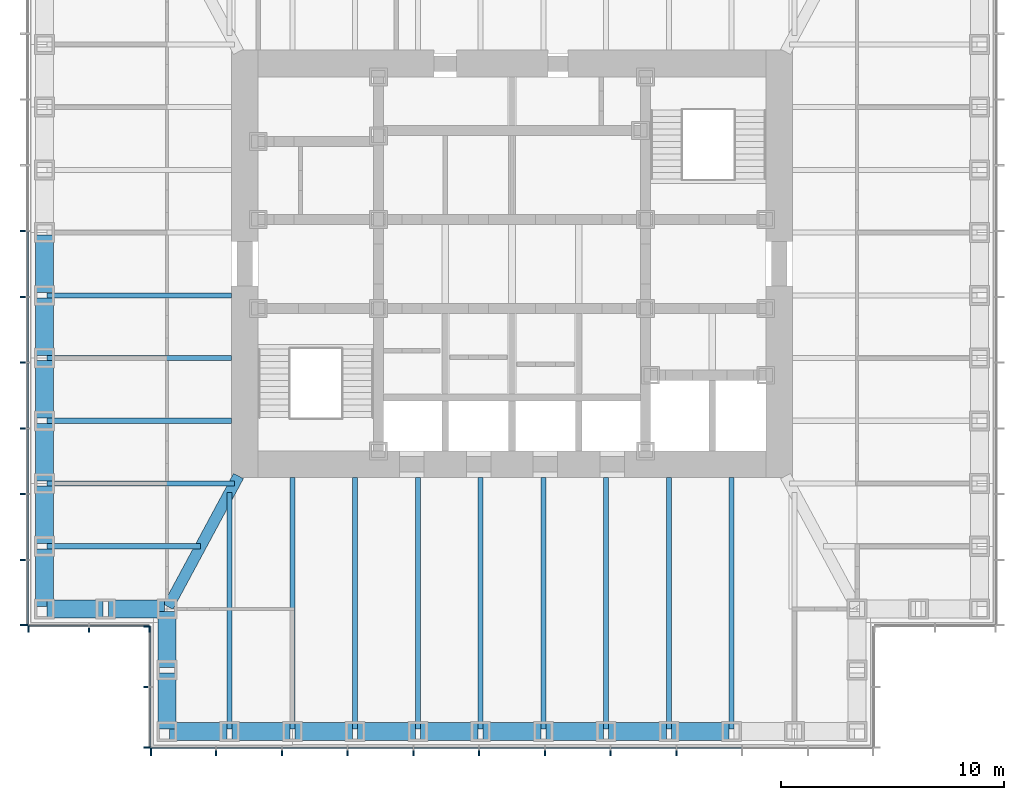
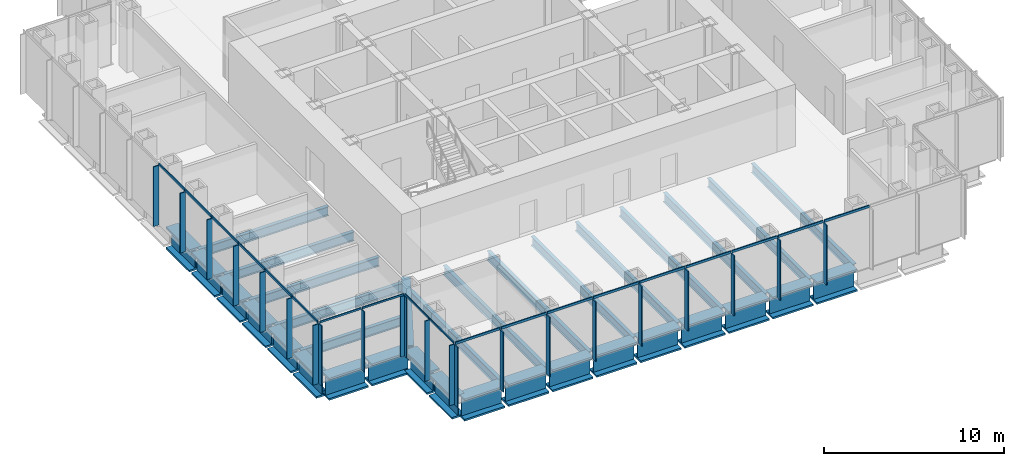
# One storey, part 2 of 16: 41 members, 34 beams, 4 elements without a shape of their own.
"""IFC4 building model written with IfcOpenShell, lengths in metres."""

import ifcopenshell
import ifcopenshell.guid

model = None  # the IFC model being written
_history = None  # IfcOwnerHistory: only IFC2X3 demands one
_inside = {}  # id of a spatial element -> (the spatial element, [elements in it])
_under = {}  # id of a project, library or spatial element -> (it, [spatial elements below it])
_declared = {}  # id of a project -> (the project, [libraries it declares])
_typed = {}  # id of a type object -> (the type object, [elements of that type])
_made_of = {}  # id of a material, layer set ... -> (it, [elements and type objects made of it])


def new_model(schema):
    """Start an empty IFC model of exactly this schema.

    Asked for "IFC4X3", IfcOpenShell would pick the latest addendum, in which some entities
    have other attributes; the version numbers below select the first issue.
    IFC2X3 requires an IfcOwnerHistory on every rooted entity: one is made here for all.
    """
    global model, _history
    if schema == "IFC4X3":
        model = ifcopenshell.file(schema_version=(4, 3, 0, 0))
    else:
        model = ifcopenshell.file(schema=schema)
    _inside.clear()
    _under.clear()
    _declared.clear()
    _typed.clear()
    _made_of.clear()
    _history = None
    if model.schema == "IFC2X3":
        org = make("IfcOrganization", Name="unknown")
        user = make(
            "IfcPersonAndOrganization",
            ThePerson=make("IfcPerson", FamilyName="unknown"),
            TheOrganization=org,
        )
        app = make(
            "IfcApplication",
            ApplicationDeveloper=org,
            Version="unknown",
            ApplicationFullName="unknown",
            ApplicationIdentifier="unknown",
        )
        _history = make(
            "IfcOwnerHistory",
            OwningUser=user,
            OwningApplication=app,
            ChangeAction="ADDED",
            CreationDate=0,
        )
    return model


def make(cls, **values):
    """One entity of the class cls with the attributes given. An attribute that is None is left unset."""
    return model.create_entity(
        cls, **{name: value for name, value in values.items() if value is not None}
    )


def rooted(cls, **values):
    """An entity with a GlobalId (a new one), such as an element, a storey or a relation."""
    return make(cls, GlobalId=ifcopenshell.guid.new(), OwnerHistory=_history, **values)


def si_unit(unit_type, name, prefix=None):
    """IfcSIUnit, for example si_unit("LENGTHUNIT", "METRE", prefix="MILLI")."""
    return make("IfcSIUnit", UnitType=unit_type, Prefix=prefix, Name=name)


def assignment(units):
    """IfcUnitAssignment: the units of a project."""
    return None if units is None else make("IfcUnitAssignment", Units=units)


def point(xyz):
    """IfcCartesianPoint."""
    return None if xyz is None else make("IfcCartesianPoint", Coordinates=xyz)


def direction(xyz):
    """IfcDirection."""
    return None if xyz is None else make("IfcDirection", DirectionRatios=xyz)


def frame(location, z_axis=None, x_axis=None):
    """IfcAxis2Placement3D, a coordinate frame: its origin and axes. An axis left out is left unset."""
    return make(
        "IfcAxis2Placement3D",
        Location=point(location),
        Axis=direction(z_axis),
        RefDirection=direction(x_axis),
    )


def frame_2d(location, x_axis=None):
    """IfcAxis2Placement2D, a coordinate frame in the plane: its origin and x axis."""
    return make(
        "IfcAxis2Placement2D", Location=point(location), RefDirection=direction(x_axis)
    )


def origin():
    """The frame at (0, 0, 0) with its axes left unset."""
    return frame((0.0, 0.0, 0.0))


def origin_2d():
    """The frame at (0, 0) in the plane with its x axis left unset."""
    return frame_2d((0.0, 0.0))


def place(relative_to, where):
    """IfcLocalPlacement: puts the frame where relative to a parent placement (None: the world)."""
    return make(
        "IfcLocalPlacement", PlacementRelTo=relative_to, RelativePlacement=where
    )


def context(
    kind, dimensions, precision=None, world=None, true_north=None, identifier=None
):
    """IfcGeometricRepresentationContext, for example the 3D "Model" context."""
    return make(
        "IfcGeometricRepresentationContext",
        ContextIdentifier=identifier,
        ContextType=kind,
        CoordinateSpaceDimension=dimensions,
        Precision=precision,
        WorldCoordinateSystem=world,
        TrueNorth=true_north,
    )


def subcontext(parent, identifier, kind, view, scale=None):
    """IfcGeometricRepresentationSubContext, for example "Body" below "Model"."""
    return make(
        "IfcGeometricRepresentationSubContext",
        ContextIdentifier=identifier,
        ContextType=kind,
        ParentContext=parent,
        TargetScale=scale,
        TargetView=view,
    )


def project(units=None, contexts=None):
    """IfcProject with its units and contexts."""
    return rooted(
        "IfcProject",
        Name="project",
        RepresentationContexts=contexts,
        UnitsInContext=assignment(units),
    )


def spatial(cls, under=None, at=None, **own):
    """A site, building, storey or space (cls), placed at a placement, below another one or the project."""
    s = rooted(cls, ObjectPlacement=at, **own)
    if under is not None:
        _under.setdefault(under.id(), (under, []))[1].append(s)
    return s


def profile(cls, at=None, kind="AREA", **sizes):
    """A parametric profile (cls). Its sizes go by their IFC names, for example OverallWidth=200.0."""
    return make(cls, ProfileType=kind, Position=at, **sizes)


def rectangle(**sizes):
    """IfcRectangleProfileDef."""
    return profile("IfcRectangleProfileDef", **sizes)


def i_section(**sizes):
    """IfcIShapeProfileDef."""
    return profile("IfcIShapeProfileDef", **sizes)


def extrude(swept, where, along, depth):
    """IfcExtrudedAreaSolid: the profile swept, set in the frame where, extruded along a direction by depth."""
    return make(
        "IfcExtrudedAreaSolid",
        SweptArea=swept,
        Position=where,
        ExtrudedDirection=direction(along),
        Depth=depth,
    )


def shape(context_of_items, identifier, shape_type, items):
    """IfcShapeRepresentation: the items that make up one representation, for example the "Body"."""
    return make(
        "IfcShapeRepresentation",
        ContextOfItems=context_of_items,
        RepresentationIdentifier=identifier,
        RepresentationType=shape_type,
        Items=items,
    )


def material(Name=None, Category=None):
    """IfcMaterial."""
    return make("IfcMaterial", Name=Name, Category=Category)


def material_profile(
    of_material, cross_section, Name=None, Category=None, Priority=None
):
    """IfcMaterialProfile: a cross section and its material."""
    return make(
        "IfcMaterialProfile",
        Name=Name,
        Material=of_material,
        Profile=cross_section,
        Priority=Priority,
        Category=Category,
    )


def profile_set(profiles, Name=None, composite=None):
    """IfcMaterialProfileSet."""
    return make(
        "IfcMaterialProfileSet",
        Name=Name,
        MaterialProfiles=profiles,
        CompositeProfile=composite,
    )


def made_of(thing, what):
    """Note that an element or type object is made of a material, layer set ...; save() writes the relation."""
    if what is not None:
        _made_of.setdefault(what.id(), (what, []))[1].append(thing)
    return thing


def type_object(cls, material=None, **own):
    """A type object (cls), such as IfcWallType, which elements share."""
    return made_of(rooted(cls, **own), material)


def element(
    cls,
    number,
    at=None,
    inside=None,
    cuts=None,
    type_object=None,
    material=None,
    context=None,
    identifier="Body",
    shape_type=None,
    held_by="IfcProductDefinitionShape",
    body=None,
    shapes=None,
    **own,
):
    """One element of the class cls, such as IfcWall. Its Tag is "e" and its number.

    at: its placement. inside: the storey or other place that contains it. cuts: it is an
    opening in that element (IfcRelVoidsElement). A single representation is given by context,
    identifier, shape_type and body (its items); several are given by shapes. held_by: the class
    of the entity that holds the representations. save() writes the other relations.
    """
    e = rooted(cls, Tag="e%d" % number, ObjectPlacement=at, **own)
    if body is not None:
        shapes = [shape(context, identifier, shape_type, body)]
    if shapes is not None:
        e.Representation = make(held_by, Representations=shapes)
    if inside is not None:
        _inside.setdefault(inside.id(), (inside, []))[1].append(e)
    if cuts is not None:
        rooted(
            "IfcRelVoidsElement", RelatingBuildingElement=cuts, RelatedOpeningElement=e
        )
    if type_object is not None:
        _typed.setdefault(type_object.id(), (type_object, []))[1].append(e)
    return made_of(e, material)


def aggregate(whole, parts):
    """IfcRelAggregates: a whole, such as a stair, and the parts it consists of."""
    return rooted("IfcRelAggregates", RelatingObject=whole, RelatedObjects=parts)


def save(model, path):
    """Write the relations noted so far, then the file.

    IfcRelAggregates (storeys below a building ...), IfcRelContainedInSpatialStructure (elements
    in a storey), IfcRelDefinesByType, IfcRelAssociatesMaterial and IfcRelDeclares: one each for
    every whole, place, type object, material and project.
    """
    for whole, parts in _under.values():
        aggregate(whole, parts)
    for where, things in _inside.values():
        rooted(
            "IfcRelContainedInSpatialStructure",
            RelatedElements=things,
            RelatingStructure=where,
        )
    for kind, things in _typed.values():
        rooted("IfcRelDefinesByType", RelatedObjects=things, RelatingType=kind)
    for what, things in _made_of.values():
        rooted("IfcRelAssociatesMaterial", RelatedObjects=things, RelatingMaterial=what)
    for by, libraries in _declared.values():
        rooted("IfcRelDeclares", RelatingContext=by, RelatedDefinitions=libraries)
    model.write(path)


model = new_model("IFC4")

# Units and contexts
model_context = context("Model", 3, precision=1e-05, world=origin(), true_north=direction((0.0, 1.0)))
body_context = subcontext(model_context, "Body", "Model", "MODEL_VIEW")
ifc_project = project(units=[si_unit("LENGTHUNIT", "METRE"), si_unit("AREAUNIT", "SQUARE_METRE"), si_unit("VOLUMEUNIT", "CUBIC_METRE"), si_unit("PLANEANGLEUNIT", "RADIAN"), si_unit("MASSUNIT", "GRAM", prefix="KILO")], contexts=[model_context])

# Site, building, storey
site_placement = place(None, origin())
site = spatial("IfcSite", under=ifc_project, at=site_placement, CompositionType="ELEMENT")
building_placement = place(site_placement, origin())
building = spatial("IfcBuilding", under=site, at=building_placement, Name="Daluyong Arena Tower", CompositionType="ELEMENT")
storey_placement = place(building_placement, frame((0.0, 0.0, 189.699951171875)))
storey = spatial("IfcBuildingStorey", under=building, at=storey_placement, Name="L42", CompositionType="ELEMENT", Elevation=189.699951171875)

# Curtain wall, members
ifc_material_1 = material(Name="Bronze anodised aluminium and glass", Category="aluminium")
curtain_wall_type_1 = type_object("IfcCurtainWallType", Name="Curtain wall CW3", PredefinedType="USERDEFINED", material=ifc_material_1)
curtain_wall_1_placement = place(storey_placement, origin())
curtain_wall_1 = element("IfcCurtainWall", 1, at=curtain_wall_1_placement, inside=storey, type_object=curtain_wall_type_1, Name="curtain wall L42 S", ObjectType="UNITISED CURTAIN WALL", PredefinedType="USERDEFINED")
ifc_material_2 = material(Name="Bronze anodised aluminium fin", Category="aluminium")
ifc_material_profile_1 = material_profile(ifc_material_2, rectangle(XDim=0.35009765625, YDim=0.070068359375, at=origin_2d()))
ifc_profile_set_1 = profile_set([ifc_material_profile_1], Name="Bronze anodised aluminium fin")
member_type_1 = type_object("IfcMemberType", Name="CW3 bronze fin 350x70", PredefinedType="MULLION", material=ifc_profile_set_1)
member_1_placement = place(storey_placement, frame((39.784912109375, 58.074951171875, 0.0), z_axis=(0.0, 0.0, 1.0), x_axis=(0.0, 1.0, 0.0)))
member_1 = element("IfcMember", 2, at=member_1_placement, type_object=member_type_1, Name="curtain wall L42 S fin 1", PredefinedType="MULLION", context=body_context, shape_type="SweptSolid", body=[
    extrude(rectangle(XDim=0.35009765625, YDim=0.070068359375, at=origin_2d()), origin(), (0.0, 0.0, 1.0), 4.0400390625),
])
member_2_placement = place(storey_placement, frame((42.70458984375, 58.074951171875, 0.0), z_axis=(0.0, 0.0, 1.0), x_axis=(0.0, 1.0, 0.0)))
member_2 = element("IfcMember", 3, at=member_2_placement, type_object=member_type_1, Name="curtain wall L42 S fin 2", PredefinedType="MULLION", context=body_context, shape_type="SweptSolid", body=[
    extrude(rectangle(XDim=0.35009765625, YDim=0.070068359375, at=origin_2d()), origin(), (0.0, 0.0, 1.0), 4.0400390625),
])
member_3_placement = place(storey_placement, frame((45.6591796875, 58.074951171875, 0.0), z_axis=(0.0, 0.0, 1.0), x_axis=(0.0, 1.0, 0.0)))
member_3 = element("IfcMember", 4, at=member_3_placement, type_object=member_type_1, Name="curtain wall L42 S fin 3", PredefinedType="MULLION", context=body_context, shape_type="SweptSolid", body=[
    extrude(rectangle(XDim=0.35009765625, YDim=0.070068359375, at=origin_2d()), origin(), (0.0, 0.0, 1.0), 4.0400390625),
])
member_4_placement = place(storey_placement, frame((48.613525390625, 58.074951171875, 0.0), z_axis=(0.0, 0.0, 1.0), x_axis=(0.0, 1.0, 0.0)))
member_4 = element("IfcMember", 5, at=member_4_placement, type_object=member_type_1, Name="curtain wall L42 S fin 4", PredefinedType="MULLION", context=body_context, shape_type="SweptSolid", body=[
    extrude(rectangle(XDim=0.35009765625, YDim=0.070068359375, at=origin_2d()), origin(), (0.0, 0.0, 1.0), 4.0400390625),
])
member_5_placement = place(storey_placement, frame((51.568115234375, 58.074951171875, 0.0), z_axis=(0.0, 0.0, 1.0), x_axis=(0.0, 1.0, 0.0)))
member_5 = element("IfcMember", 6, at=member_5_placement, type_object=member_type_1, Name="curtain wall L42 S fin 5", PredefinedType="MULLION", context=body_context, shape_type="SweptSolid", body=[
    extrude(rectangle(XDim=0.35009765625, YDim=0.070068359375, at=origin_2d()), origin(), (0.0, 0.0, 1.0), 4.0400390625),
])
member_6_placement = place(storey_placement, frame((54.522705078125, 58.074951171875, 0.0), z_axis=(0.0, 0.0, 1.0), x_axis=(0.0, 1.0, 0.0)))
member_6 = element("IfcMember", 7, at=member_6_placement, type_object=member_type_1, Name="curtain wall L42 S fin 6", PredefinedType="MULLION", context=body_context, shape_type="SweptSolid", body=[
    extrude(rectangle(XDim=0.35009765625, YDim=0.070068359375, at=origin_2d()), origin(), (0.0, 0.0, 1.0), 4.0400390625),
])
member_7_placement = place(storey_placement, frame((57.477294921875, 58.074951171875, 0.0), z_axis=(0.0, 0.0, 1.0), x_axis=(0.0, 1.0, 0.0)))
member_7 = element("IfcMember", 8, at=member_7_placement, type_object=member_type_1, Name="curtain wall L42 S fin 7", PredefinedType="MULLION", context=body_context, shape_type="SweptSolid", body=[
    extrude(rectangle(XDim=0.35009765625, YDim=0.070068359375, at=origin_2d()), origin(), (0.0, 0.0, 1.0), 4.0400390625),
])
member_8_placement = place(storey_placement, frame((60.431884765625, 58.074951171875, 0.0), z_axis=(0.0, 0.0, 1.0), x_axis=(0.0, 1.0, 0.0)))
member_8 = element("IfcMember", 9, at=member_8_placement, type_object=member_type_1, Name="curtain wall L42 S fin 8", PredefinedType="MULLION", context=body_context, shape_type="SweptSolid", body=[
    extrude(rectangle(XDim=0.35009765625, YDim=0.070068359375, at=origin_2d()), origin(), (0.0, 0.0, 1.0), 4.0400390625),
])
member_9_placement = place(storey_placement, frame((63.386474609375, 58.074951171875, 0.0), z_axis=(0.0, 0.0, 1.0), x_axis=(0.0, 1.0, 0.0)))
member_9 = element("IfcMember", 10, at=member_9_placement, type_object=member_type_1, Name="curtain wall L42 S fin 9", PredefinedType="MULLION", context=body_context, shape_type="SweptSolid", body=[
    extrude(rectangle(XDim=0.35009765625, YDim=0.070068359375, at=origin_2d()), origin(), (0.0, 0.0, 1.0), 4.0400390625),
])

curtain_wall_2_placement = place(storey_placement, origin())
curtain_wall_2 = element("IfcCurtainWall", 11, at=curtain_wall_2_placement, inside=storey, type_object=curtain_wall_type_1, Name="curtain wall L42 W", ObjectType="UNITISED CURTAIN WALL", PredefinedType="USERDEFINED")
member_10_placement = place(storey_placement, frame((34.074951171875, 81.477294921875, 0.0), z_axis=(0.0, 0.0, 1.0), x_axis=(1.0, 0.0, 0.0)))
member_10 = element("IfcMember", 12, at=member_10_placement, type_object=member_type_1, Name="curtain wall L42 W fin 6", PredefinedType="MULLION", context=body_context, shape_type="SweptSolid", body=[
    extrude(rectangle(XDim=0.35009765625, YDim=0.070068359375, at=origin_2d()), origin(), (0.0, 0.0, 1.0), 4.0400390625),
])
member_11_placement = place(storey_placement, frame((34.074951171875, 78.522705078125, 0.0), z_axis=(0.0, 0.0, 1.0), x_axis=(1.0, 0.0, 0.0)))
member_11 = element("IfcMember", 13, at=member_11_placement, type_object=member_type_1, Name="curtain wall L42 W fin 7", PredefinedType="MULLION", context=body_context, shape_type="SweptSolid", body=[
    extrude(rectangle(XDim=0.35009765625, YDim=0.070068359375, at=origin_2d()), origin(), (0.0, 0.0, 1.0), 4.0400390625),
])
member_12_placement = place(storey_placement, frame((34.074951171875, 75.568115234375, 0.0), z_axis=(0.0, 0.0, 1.0), x_axis=(1.0, 0.0, 0.0)))
member_12 = element("IfcMember", 14, at=member_12_placement, type_object=member_type_1, Name="curtain wall L42 W fin 8", PredefinedType="MULLION", context=body_context, shape_type="SweptSolid", body=[
    extrude(rectangle(XDim=0.35009765625, YDim=0.070068359375, at=origin_2d()), origin(), (0.0, 0.0, 1.0), 4.0400390625),
])
member_13_placement = place(storey_placement, frame((34.074951171875, 72.613525390625, 0.0), z_axis=(0.0, 0.0, 1.0), x_axis=(1.0, 0.0, 0.0)))
member_13 = element("IfcMember", 15, at=member_13_placement, type_object=member_type_1, Name="curtain wall L42 W fin 9", PredefinedType="MULLION", context=body_context, shape_type="SweptSolid", body=[
    extrude(rectangle(XDim=0.35009765625, YDim=0.070068359375, at=origin_2d()), origin(), (0.0, 0.0, 1.0), 4.0400390625),
])
member_14_placement = place(storey_placement, frame((34.074951171875, 69.6591796875, 0.0), z_axis=(0.0, 0.0, 1.0), x_axis=(1.0, 0.0, 0.0)))
member_14 = element("IfcMember", 16, at=member_14_placement, type_object=member_type_1, Name="curtain wall L42 W fin 10", PredefinedType="MULLION", context=body_context, shape_type="SweptSolid", body=[
    extrude(rectangle(XDim=0.35009765625, YDim=0.070068359375, at=origin_2d()), origin(), (0.0, 0.0, 1.0), 4.0400390625),
])
member_15_placement = place(storey_placement, frame((34.074951171875, 66.70458984375, 0.0), z_axis=(0.0, 0.0, 1.0), x_axis=(1.0, 0.0, 0.0)))
member_15 = element("IfcMember", 17, at=member_15_placement, type_object=member_type_1, Name="curtain wall L42 W fin 11", PredefinedType="MULLION", context=body_context, shape_type="SweptSolid", body=[
    extrude(rectangle(XDim=0.35009765625, YDim=0.070068359375, at=origin_2d()), origin(), (0.0, 0.0, 1.0), 4.0400390625),
])
member_16_placement = place(storey_placement, frame((34.074951171875, 63.784912109375, 0.0), z_axis=(0.0, 0.0, 1.0), x_axis=(1.0, 0.0, 0.0)))
member_16 = element("IfcMember", 18, at=member_16_placement, type_object=member_type_1, Name="curtain wall L42 W fin 12", PredefinedType="MULLION", context=body_context, shape_type="SweptSolid", body=[
    extrude(rectangle(XDim=0.35009765625, YDim=0.070068359375, at=origin_2d()), origin(), (0.0, 0.0, 1.0), 4.0400390625),
])

# Member
ifc_material_3 = material(Name="Bronze anodised aluminium", Category="aluminium")
ifc_material_profile_2 = material_profile(ifc_material_3, rectangle(XDim=0.070068359375, YDim=0.159912109375, at=origin_2d()))
ifc_profile_set_2 = profile_set([ifc_material_profile_2], Name="Bronze anodised aluminium")
member_type_2 = type_object("IfcMemberType", Name="CW3 stack transom 160x70", PredefinedType="USERDEFINED", material=ifc_profile_set_2)
member_17_placement = place(storey_placement, frame((39.820068359375, 58.25, 4.1201171875), z_axis=(1.0, 0.0, 0.0), x_axis=(0.0, 1.0, 0.0)))
member_17 = element("IfcMember", 19, at=member_17_placement, type_object=member_type_2, Name="curtain wall L42 S transom 1", ObjectType="TRANSOM", PredefinedType="USERDEFINED", context=body_context, shape_type="SweptSolid", body=[
    extrude(rectangle(XDim=0.070068359375, YDim=0.159912109375, at=origin_2d()), origin(), (0.0, 0.0, 1.0), 2.849365234375),
])

member_18_placement = place(storey_placement, frame((42.739501953125, 58.25, 4.1201171875), z_axis=(1.0, 0.0, 0.0), x_axis=(0.0, 1.0, 0.0)))
member_18 = element("IfcMember", 20, at=member_18_placement, type_object=member_type_2, Name="curtain wall L42 S transom 2", ObjectType="TRANSOM", PredefinedType="USERDEFINED", context=body_context, shape_type="SweptSolid", body=[
    extrude(rectangle(XDim=0.070068359375, YDim=0.159912109375, at=origin_2d()), origin(), (0.0, 0.0, 1.0), 2.884521484375),
])

member_19_placement = place(storey_placement, frame((45.694091796875, 58.25, 4.1201171875), z_axis=(1.0, 0.0, 0.0), x_axis=(0.0, 1.0, 0.0)))
member_19 = element("IfcMember", 21, at=member_19_placement, type_object=member_type_2, Name="curtain wall L42 S transom 3", ObjectType="TRANSOM", PredefinedType="USERDEFINED", context=body_context, shape_type="SweptSolid", body=[
    extrude(rectangle(XDim=0.070068359375, YDim=0.159912109375, at=origin_2d()), origin(), (0.0, 0.0, 1.0), 2.884521484375),
])

member_20_placement = place(storey_placement, frame((48.648681640625, 58.25, 4.1201171875), z_axis=(1.0, 0.0, 0.0), x_axis=(0.0, 1.0, 0.0)))
member_20 = element("IfcMember", 22, at=member_20_placement, type_object=member_type_2, Name="curtain wall L42 S transom 4", ObjectType="TRANSOM", PredefinedType="USERDEFINED", context=body_context, shape_type="SweptSolid", body=[
    extrude(rectangle(XDim=0.070068359375, YDim=0.159912109375, at=origin_2d()), origin(), (0.0, 0.0, 1.0), 2.884521484375),
])

member_21_placement = place(storey_placement, frame((51.603271484375, 58.25, 4.1201171875), z_axis=(1.0, 0.0, 0.0), x_axis=(0.0, 1.0, 0.0)))
member_21 = element("IfcMember", 23, at=member_21_placement, type_object=member_type_2, Name="curtain wall L42 S transom 5", ObjectType="TRANSOM", PredefinedType="USERDEFINED", context=body_context, shape_type="SweptSolid", body=[
    extrude(rectangle(XDim=0.070068359375, YDim=0.159912109375, at=origin_2d()), origin(), (0.0, 0.0, 1.0), 2.884521484375),
])

member_22_placement = place(storey_placement, frame((54.5576171875, 58.25, 4.1201171875), z_axis=(1.0, 0.0, 0.0), x_axis=(0.0, 1.0, 0.0)))
member_22 = element("IfcMember", 24, at=member_22_placement, type_object=member_type_2, Name="curtain wall L42 S transom 6", ObjectType="TRANSOM", PredefinedType="USERDEFINED", context=body_context, shape_type="SweptSolid", body=[
    extrude(rectangle(XDim=0.070068359375, YDim=0.159912109375, at=origin_2d()), origin(), (0.0, 0.0, 1.0), 2.884765625),
])

member_23_placement = place(storey_placement, frame((57.51220703125, 58.25, 4.1201171875), z_axis=(1.0, 0.0, 0.0), x_axis=(0.0, 1.0, 0.0)))
member_23 = element("IfcMember", 25, at=member_23_placement, type_object=member_type_2, Name="curtain wall L42 S transom 7", ObjectType="TRANSOM", PredefinedType="USERDEFINED", context=body_context, shape_type="SweptSolid", body=[
    extrude(rectangle(XDim=0.070068359375, YDim=0.159912109375, at=origin_2d()), origin(), (0.0, 0.0, 1.0), 2.884521484375),
])

member_24_placement = place(storey_placement, frame((60.466796875, 58.25, 4.1201171875), z_axis=(1.0, 0.0, 0.0), x_axis=(0.0, 1.0, 0.0)))
member_24 = element("IfcMember", 26, at=member_24_placement, type_object=member_type_2, Name="curtain wall L42 S transom 8", ObjectType="TRANSOM", PredefinedType="USERDEFINED", context=body_context, shape_type="SweptSolid", body=[
    extrude(rectangle(XDim=0.070068359375, YDim=0.159912109375, at=origin_2d()), origin(), (0.0, 0.0, 1.0), 2.884521484375),
])

member_25_placement = place(storey_placement, frame((63.42138671875, 58.25, 4.1201171875), z_axis=(1.0, 0.0, 0.0), x_axis=(0.0, 1.0, 0.0)))
member_25 = element("IfcMember", 27, at=member_25_placement, type_object=member_type_2, Name="curtain wall L42 S transom 9", ObjectType="TRANSOM", PredefinedType="USERDEFINED", context=body_context, shape_type="SweptSolid", body=[
    extrude(rectangle(XDim=0.070068359375, YDim=0.159912109375, at=origin_2d()), origin(), (0.0, 0.0, 1.0), 2.884521484375),
])

aggregate(curtain_wall_1, [member_1, member_2, member_3, member_4, member_5, member_6, member_7, member_8, member_9, member_17, member_18, member_19, member_20, member_21, member_22, member_23, member_24, member_25])

member_26_placement = place(storey_placement, frame((34.25, 81.4423828125, 4.1201171875), z_axis=(0.0, -1.0, 0.0), x_axis=(1.0, 0.0, 0.0)))
member_26 = element("IfcMember", 28, at=member_26_placement, type_object=member_type_2, Name="curtain wall L42 W transom 6", ObjectType="TRANSOM", PredefinedType="USERDEFINED", context=body_context, shape_type="SweptSolid", body=[
    extrude(rectangle(XDim=0.070068359375, YDim=0.159912109375, at=origin_2d()), origin(), (0.0, 0.0, 1.0), 2.884765625),
])

member_27_placement = place(storey_placement, frame((34.25, 78.48779296875, 4.1201171875), z_axis=(0.0, -1.0, 0.0), x_axis=(1.0, 0.0, 0.0)))
member_27 = element("IfcMember", 29, at=member_27_placement, type_object=member_type_2, Name="curtain wall L42 W transom 7", ObjectType="TRANSOM", PredefinedType="USERDEFINED", context=body_context, shape_type="SweptSolid", body=[
    extrude(rectangle(XDim=0.070068359375, YDim=0.159912109375, at=origin_2d()), origin(), (0.0, 0.0, 1.0), 2.884521484375),
])

member_28_placement = place(storey_placement, frame((34.25, 75.533203125, 4.1201171875), z_axis=(0.0, -1.0, 0.0), x_axis=(1.0, 0.0, 0.0)))
member_28 = element("IfcMember", 30, at=member_28_placement, type_object=member_type_2, Name="curtain wall L42 W transom 8", ObjectType="TRANSOM", PredefinedType="USERDEFINED", context=body_context, shape_type="SweptSolid", body=[
    extrude(rectangle(XDim=0.070068359375, YDim=0.159912109375, at=origin_2d()), origin(), (0.0, 0.0, 1.0), 2.884521484375),
])

member_29_placement = place(storey_placement, frame((34.25, 72.57861328125, 4.1201171875), z_axis=(0.0, -1.0, 0.0), x_axis=(1.0, 0.0, 0.0)))
member_29 = element("IfcMember", 31, at=member_29_placement, type_object=member_type_2, Name="curtain wall L42 W transom 9", ObjectType="TRANSOM", PredefinedType="USERDEFINED", context=body_context, shape_type="SweptSolid", body=[
    extrude(rectangle(XDim=0.070068359375, YDim=0.159912109375, at=origin_2d()), origin(), (0.0, 0.0, 1.0), 2.884521484375),
])

member_30_placement = place(storey_placement, frame((34.25, 69.6240234375, 4.1201171875), z_axis=(0.0, -1.0, 0.0), x_axis=(1.0, 0.0, 0.0)))
member_30 = element("IfcMember", 32, at=member_30_placement, type_object=member_type_2, Name="curtain wall L42 W transom 10", ObjectType="TRANSOM", PredefinedType="USERDEFINED", context=body_context, shape_type="SweptSolid", body=[
    extrude(rectangle(XDim=0.070068359375, YDim=0.159912109375, at=origin_2d()), origin(), (0.0, 0.0, 1.0), 2.884521484375),
])

member_31_placement = place(storey_placement, frame((34.25, 66.66943359375, 4.1201171875), z_axis=(0.0, -1.0, 0.0), x_axis=(1.0, 0.0, 0.0)))
member_31 = element("IfcMember", 33, at=member_31_placement, type_object=member_type_2, Name="curtain wall L42 W transom 11", ObjectType="TRANSOM", PredefinedType="USERDEFINED", context=body_context, shape_type="SweptSolid", body=[
    extrude(rectangle(XDim=0.070068359375, YDim=0.159912109375, at=origin_2d()), origin(), (0.0, 0.0, 1.0), 2.849365234375),
])

aggregate(curtain_wall_2, [member_10, member_11, member_12, member_13, member_14, member_15, member_16, member_26, member_27, member_28, member_29, member_30, member_31])

# Curtain wall, members
ifc_material_4 = material(Name="Bronze anodised aluminium and glass", Category="aluminium")
curtain_wall_type_2 = type_object("IfcCurtainWallType", Name="Curtain wall CW7", PredefinedType="USERDEFINED", material=ifc_material_4)
curtain_wall_3_placement = place(storey_placement, origin())
curtain_wall_3 = element("IfcCurtainWall", 34, at=curtain_wall_3_placement, inside=storey, type_object=curtain_wall_type_2, Name="curtain wall L42 SW-S", ObjectType="UNITISED CURTAIN WALL", PredefinedType="USERDEFINED")
ifc_material_5 = material(Name="Bronze anodised aluminium fin", Category="aluminium")
ifc_material_profile_3 = material_profile(ifc_material_5, rectangle(XDim=0.300048828125, YDim=0.06005859375, at=origin_2d()))
ifc_profile_set_3 = profile_set([ifc_material_profile_3], Name="Bronze anodised aluminium fin")
member_type_3 = type_object("IfcMemberType", Name="CW7 bronze fin 300x60", PredefinedType="MULLION", material=ifc_profile_set_3)
member_32_placement = place(storey_placement, frame((34.280029296875, 63.60009765625, 0.0), z_axis=(0.0, 0.0, 1.0), x_axis=(0.0, 1.0, 0.0)))
member_32 = element("IfcMember", 35, at=member_32_placement, type_object=member_type_3, Name="curtain wall L42 SW-S fin 1", PredefinedType="MULLION", context=body_context, shape_type="SweptSolid", body=[
    extrude(rectangle(XDim=0.300048828125, YDim=0.06005859375, at=origin_2d()), origin(), (0.0, 0.0, 1.0), 4.080078125),
])
member_33_placement = place(storey_placement, frame((37.0, 63.60009765625, 0.0), z_axis=(0.0, 0.0, 1.0), x_axis=(0.0, 1.0, 0.0)))
member_33 = element("IfcMember", 36, at=member_33_placement, type_object=member_type_3, Name="curtain wall L42 SW-S fin 2", PredefinedType="MULLION", context=body_context, shape_type="SweptSolid", body=[
    extrude(rectangle(XDim=0.300048828125, YDim=0.06005859375, at=origin_2d()), origin(), (0.0, 0.0, 1.0), 4.080078125),
])
member_34_placement = place(storey_placement, frame((39.719970703125, 63.60009765625, 0.0), z_axis=(0.0, 0.0, 1.0), x_axis=(0.0, 1.0, 0.0)))
member_34 = element("IfcMember", 37, at=member_34_placement, type_object=member_type_3, Name="curtain wall L42 SW-S fin 3", PredefinedType="MULLION", context=body_context, shape_type="SweptSolid", body=[
    extrude(rectangle(XDim=0.300048828125, YDim=0.06005859375, at=origin_2d()), origin(), (0.0, 0.0, 1.0), 4.080078125),
])

curtain_wall_4_placement = place(storey_placement, origin())
curtain_wall_4 = element("IfcCurtainWall", 38, at=curtain_wall_4_placement, inside=storey, type_object=curtain_wall_type_2, Name="curtain wall L42 SW-W", ObjectType="UNITISED CURTAIN WALL", PredefinedType="USERDEFINED")
member_35_placement = place(storey_placement, frame((39.60009765625, 63.719970703125, 0.0), z_axis=(0.0, 0.0, 1.0), x_axis=(1.0, 0.0, 0.0)))
member_35 = element("IfcMember", 39, at=member_35_placement, type_object=member_type_3, Name="curtain wall L42 SW-W fin 1", PredefinedType="MULLION", context=body_context, shape_type="SweptSolid", body=[
    extrude(rectangle(XDim=0.300048828125, YDim=0.06005859375, at=origin_2d()), origin(), (0.0, 0.0, 1.0), 4.080078125),
])
member_36_placement = place(storey_placement, frame((39.60009765625, 61.0, 0.0), z_axis=(0.0, 0.0, 1.0), x_axis=(1.0, 0.0, 0.0)))
member_36 = element("IfcMember", 40, at=member_36_placement, type_object=member_type_3, Name="curtain wall L42 SW-W fin 2", PredefinedType="MULLION", context=body_context, shape_type="SweptSolid", body=[
    extrude(rectangle(XDim=0.300048828125, YDim=0.06005859375, at=origin_2d()), origin(), (0.0, 0.0, 1.0), 4.080078125),
])
member_37_placement = place(storey_placement, frame((39.60009765625, 58.280029296875, 0.0), z_axis=(0.0, 0.0, 1.0), x_axis=(1.0, 0.0, 0.0)))
member_37 = element("IfcMember", 41, at=member_37_placement, type_object=member_type_3, Name="curtain wall L42 SW-W fin 3", PredefinedType="MULLION", context=body_context, shape_type="SweptSolid", body=[
    extrude(rectangle(XDim=0.300048828125, YDim=0.06005859375, at=origin_2d()), origin(), (0.0, 0.0, 1.0), 4.080078125),
])

# Member
ifc_material_6 = material(Name="Bronze anodised aluminium", Category="aluminium")
ifc_material_profile_4 = material_profile(ifc_material_6, rectangle(XDim=0.06005859375, YDim=0.1201171875, at=origin_2d()))
ifc_profile_set_4 = profile_set([ifc_material_profile_4], Name="Bronze anodised aluminium")
member_type_4 = type_object("IfcMemberType", Name="CW7 stack transom 120x60", PredefinedType="USERDEFINED", material=ifc_profile_set_4)
member_38_placement = place(storey_placement, frame((34.31005859375, 63.75, 4.14013671875), z_axis=(1.0, 0.0, 0.0), x_axis=(0.0, 1.0, 0.0)))
member_38 = element("IfcMember", 42, at=member_38_placement, type_object=member_type_4, Name="curtain wall L42 SW-S transom 1", ObjectType="TRANSOM", PredefinedType="USERDEFINED", context=body_context, shape_type="SweptSolid", body=[
    extrude(rectangle(XDim=0.06005859375, YDim=0.1201171875, at=origin_2d()), origin(), (0.0, 0.0, 1.0), 2.659912109375),
])

member_39_placement = place(storey_placement, frame((37.030029296875, 63.75, 4.14013671875), z_axis=(1.0, 0.0, 0.0), x_axis=(0.0, 1.0, 0.0)))
member_39 = element("IfcMember", 43, at=member_39_placement, type_object=member_type_4, Name="curtain wall L42 SW-S transom 2", ObjectType="TRANSOM", PredefinedType="USERDEFINED", context=body_context, shape_type="SweptSolid", body=[
    extrude(rectangle(XDim=0.06005859375, YDim=0.1201171875, at=origin_2d()), origin(), (0.0, 0.0, 1.0), 2.659912109375),
])

aggregate(curtain_wall_3, [member_32, member_33, member_34, member_38, member_39])

member_40_placement = place(storey_placement, frame((39.75, 63.68994140625, 4.14013671875), z_axis=(0.0, -1.0, 0.0), x_axis=(1.0, 0.0, 0.0)))
member_40 = element("IfcMember", 44, at=member_40_placement, type_object=member_type_4, Name="curtain wall L42 SW-W transom 1", ObjectType="TRANSOM", PredefinedType="USERDEFINED", context=body_context, shape_type="SweptSolid", body=[
    extrude(rectangle(XDim=0.06005859375, YDim=0.1201171875, at=origin_2d()), origin(), (0.0, 0.0, 1.0), 2.659912109375),
])

member_41_placement = place(storey_placement, frame((39.75, 60.969970703125, 4.14013671875), z_axis=(0.0, -1.0, 0.0), x_axis=(1.0, 0.0, 0.0)))
member_41 = element("IfcMember", 45, at=member_41_placement, type_object=member_type_4, Name="curtain wall L42 SW-W transom 2", ObjectType="TRANSOM", PredefinedType="USERDEFINED", context=body_context, shape_type="SweptSolid", body=[
    extrude(rectangle(XDim=0.06005859375, YDim=0.1201171875, at=origin_2d()), origin(), (0.0, 0.0, 1.0), 2.659912109375),
])

aggregate(curtain_wall_4, [member_35, member_36, member_37, member_40, member_41])

# Beams
ifc_material_7 = material(Name="Steel ASTM A572 Grade 50", Category="steel")
ifc_material_profile_5 = material_profile(ifc_material_7, i_section(OverallWidth=0.5, OverallDepth=1.0, WebThickness=0.03, FlangeThickness=0.06, at=origin_2d()))
ifc_profile_set_5 = profile_set([ifc_material_profile_5], Name="Steel ASTM A572 Grade 50")
beam_type_1 = type_object("IfcBeamType", Name="Corner girder TB1000X500", PredefinedType="BEAM", material=ifc_profile_set_5)
beam_1_placement = place(storey_placement, frame((40.554443359375, 64.601318359375, -0.659912109375), z_axis=(0.474119475266, 0.880460517669, 0.0), x_axis=(-0.880460517669, 0.474119475266, 0.0)))
element("IfcBeam", 46, at=beam_1_placement, inside=storey, type_object=beam_type_1, Name="corner girder DG2", PredefinedType="BEAM", context=body_context, shape_type="SweptSolid", body=[
    extrude(i_section(OverallWidth=0.5, OverallDepth=1.0, WebThickness=0.03, FlangeThickness=0.06, at=origin_2d()), origin(), (0.0, 0.0, 1.0), 6.66748046875),
])
ifc_material_8 = material(Name="Steel ASTM A992 Grade 50", Category="steel")
ifc_material_profile_6 = material_profile(ifc_material_8, i_section(OverallWidth=0.22900390625, OverallDepth=0.612060546875, WebThickness=0.011962890625, FlangeThickness=0.01953125, at=origin_2d()))
ifc_profile_set_6 = profile_set([ifc_material_profile_6], Name="Steel ASTM A992 Grade 50")
beam_type_2 = type_object("IfcBeamType", Name="Floor beam W24X84", PredefinedType="BEAM", material=ifc_profile_set_6)
beam_2_placement = place(storey_placement, frame((43.318115234375, 59.114990234375, -0.466064453125), z_axis=(0.0, 1.0, 0.0), x_axis=(-1.0, 0.0, 0.0)))
element("IfcBeam", 47, at=beam_2_placement, inside=storey, type_object=beam_type_2, Name="floor beam FB3", PredefinedType="BEAM", context=body_context, shape_type="SweptSolid", body=[
    extrude(i_section(OverallWidth=0.22900390625, OverallDepth=0.612060546875, WebThickness=0.011962890625, FlangeThickness=0.01953125, at=origin_2d()), origin(), (0.0, 0.0, 1.0), 10.618896484375),
])
for number, where, z_axis, x_axis, name in (
    (48, (46.136474609375, 59.114990234375, -0.466064453125), (0.0, 1.0, 0.0), (-1.0, 0.0, 0.0), "floor beam FB3"),
    (49, (48.95458984375, 59.114990234375, -0.466064453125), (0.0, 1.0, 0.0), (-1.0, 0.0, 0.0), "floor beam FB3"),
    (50, (51.772705078125, 59.114990234375, -0.466064453125), (0.0, 1.0, 0.0), (-1.0, 0.0, 0.0), "floor beam FB3"),
    (51, (54.5908203125, 59.114990234375, -0.466064453125), (0.0, 1.0, 0.0), (-1.0, 0.0, 0.0), "floor beam FB3"),
    (52, (57.4091796875, 59.114990234375, -0.466064453125), (0.0, 1.0, 0.0), (-1.0, 0.0, 0.0), "floor beam FB3"),
    (53, (60.227294921875, 59.114990234375, -0.466064453125), (0.0, 1.0, 0.0), (-1.0, 0.0, 0.0), "floor beam FB3"),
    (54, (63.04541015625, 59.114990234375, -0.466064453125), (0.0, 1.0, 0.0), (-1.0, 0.0, 0.0), "floor beam FB3"),
    (55, (65.863525390625, 59.114990234375, -0.466064453125), (0.0, 1.0, 0.0), (-1.0, 0.0, 0.0), "floor beam FB3"),
):
    element("IfcBeam", number, at=place(storey_placement, frame(where, z_axis=z_axis, x_axis=x_axis)), inside=storey, type_object=beam_type_2, Name=name, PredefinedType="BEAM", context=body_context, shape_type="SweptSolid", body=[
        extrude(i_section(OverallWidth=0.22900390625, OverallDepth=0.612060546875, WebThickness=0.011962890625, FlangeThickness=0.01953125, at=origin_2d()), origin(), (0.0, 0.0, 1.0), 11.284912109375),
    ])
for number, where, z_axis, x_axis, name in (
    (56, (35.114990234375, 78.5908203125, -0.466064453125), (1.0, 0.0, 0.0), (0.0, 1.0, 0.0), "floor beam FB3"),
    (57, (35.114990234375, 75.772705078125, -0.466064453125), (1.0, 0.0, 0.0), (0.0, 1.0, 0.0), "floor beam FB3"),
    (58, (35.114990234375, 72.95458984375, -0.466064453125), (1.0, 0.0, 0.0), (0.0, 1.0, 0.0), "floor beam FB3"),
):
    element("IfcBeam", number, at=place(storey_placement, frame(where, z_axis=z_axis, x_axis=x_axis)), inside=storey, type_object=beam_type_2, Name=name, PredefinedType="BEAM", context=body_context, shape_type="SweptSolid", body=[
        extrude(i_section(OverallWidth=0.22900390625, OverallDepth=0.612060546875, WebThickness=0.011962890625, FlangeThickness=0.01953125, at=origin_2d()), origin(), (0.0, 0.0, 1.0), 8.284912109375),
    ])
beam_3_placement = place(storey_placement, frame((35.114990234375, 70.136474609375, -0.466064453125), z_axis=(1.0, 0.0, 0.0), x_axis=(0.0, 1.0, 0.0)))
element("IfcBeam", 59, at=beam_3_placement, inside=storey, type_object=beam_type_2, Name="floor beam FB3", PredefinedType="BEAM", context=body_context, shape_type="SweptSolid", body=[
    extrude(i_section(OverallWidth=0.22900390625, OverallDepth=0.612060546875, WebThickness=0.011962890625, FlangeThickness=0.01953125, at=origin_2d()), origin(), (0.0, 0.0, 1.0), 8.419921875),
])
beam_4_placement = place(storey_placement, frame((35.114990234375, 67.318115234375, -0.466064453125), z_axis=(1.0, 0.0, 0.0), x_axis=(0.0, 1.0, 0.0)))
element("IfcBeam", 60, at=beam_4_placement, inside=storey, type_object=beam_type_2, Name="floor beam FB3", PredefinedType="BEAM", context=body_context, shape_type="SweptSolid", body=[
    extrude(i_section(OverallWidth=0.22900390625, OverallDepth=0.612060546875, WebThickness=0.011962890625, FlangeThickness=0.01953125, at=origin_2d()), origin(), (0.0, 0.0, 1.0), 6.902587890625),
])
ifc_material_9 = material(Name="Steel ASTM A588 Grade 50", Category="steel")
ifc_material_profile_7 = material_profile(ifc_material_9, i_section(OverallWidth=0.800048828125, OverallDepth=1.5, WebThickness=0.05, FlangeThickness=0.12, at=origin_2d()))
ifc_profile_set_7 = profile_set([ifc_material_profile_7], Name="Steel ASTM A588 Grade 50")
beam_type_3 = type_object("IfcBeamType", Name="Spandrel Z3 PG1500X800", PredefinedType="SPANDREL", material=ifc_profile_set_7)
beam_5_placement = place(storey_placement, frame((40.614990234375, 59.0, -0.909912109375), z_axis=(1.0, 0.0, 0.0), x_axis=(0.0, 1.0, 0.0)))
element("IfcBeam", 61, at=beam_5_placement, inside=storey, type_object=beam_type_3, Name="spandrel z3 SB7", PredefinedType="SPANDREL", context=body_context, shape_type="SweptSolid", body=[
    extrude(i_section(OverallWidth=0.800048828125, OverallDepth=1.5, WebThickness=0.05, FlangeThickness=0.12, at=origin_2d()), origin(), (0.0, 0.0, 1.0), 2.588134765625),
])
beam_6_placement = place(storey_placement, frame((43.43310546875, 59.0, -0.909912109375), z_axis=(1.0, 0.0, 0.0), x_axis=(0.0, 1.0, 0.0)))
element("IfcBeam", 62, at=beam_6_placement, inside=storey, type_object=beam_type_3, Name="spandrel z3 SB7", PredefinedType="SPANDREL", context=body_context, shape_type="SweptSolid", body=[
    extrude(i_section(OverallWidth=0.800048828125, OverallDepth=1.5, WebThickness=0.05, FlangeThickness=0.12, at=origin_2d()), origin(), (0.0, 0.0, 1.0), 2.58837890625),
])
for number, where, z_axis, x_axis, name in (
    (63, (46.25146484375, 59.0, -0.909912109375), (1.0, 0.0, 0.0), (0.0, 1.0, 0.0), "spandrel z3 SB7"),
    (64, (49.069580078125, 59.0, -0.909912109375), (1.0, 0.0, 0.0), (0.0, 1.0, 0.0), "spandrel z3 SB7"),
    (65, (51.8876953125, 59.0, -0.909912109375), (1.0, 0.0, 0.0), (0.0, 1.0, 0.0), "spandrel z3 SB7"),
):
    element("IfcBeam", number, at=place(storey_placement, frame(where, z_axis=z_axis, x_axis=x_axis)), inside=storey, type_object=beam_type_3, Name=name, PredefinedType="SPANDREL", context=body_context, shape_type="SweptSolid", body=[
        extrude(i_section(OverallWidth=0.800048828125, OverallDepth=1.5, WebThickness=0.05, FlangeThickness=0.12, at=origin_2d()), origin(), (0.0, 0.0, 1.0), 2.588134765625),
    ])
beam_7_placement = place(storey_placement, frame((54.705810546875, 59.0, -0.909912109375), z_axis=(1.0, 0.0, 0.0), x_axis=(0.0, 1.0, 0.0)))
element("IfcBeam", 66, at=beam_7_placement, inside=storey, type_object=beam_type_3, Name="spandrel z3 SB7", PredefinedType="SPANDREL", context=body_context, shape_type="SweptSolid", body=[
    extrude(i_section(OverallWidth=0.800048828125, OverallDepth=1.5, WebThickness=0.05, FlangeThickness=0.12, at=origin_2d()), origin(), (0.0, 0.0, 1.0), 2.58837890625),
])
for number, where, z_axis, x_axis, name in (
    (67, (57.524169921875, 59.0, -0.909912109375), (1.0, 0.0, 0.0), (0.0, 1.0, 0.0), "spandrel z3 SB7"),
    (68, (60.34228515625, 59.0, -0.909912109375), (1.0, 0.0, 0.0), (0.0, 1.0, 0.0), "spandrel z3 SB7"),
    (69, (63.160400390625, 59.0, -0.909912109375), (1.0, 0.0, 0.0), (0.0, 1.0, 0.0), "spandrel z3 SB7"),
):
    element("IfcBeam", number, at=place(storey_placement, frame(where, z_axis=z_axis, x_axis=x_axis)), inside=storey, type_object=beam_type_3, Name=name, PredefinedType="SPANDREL", context=body_context, shape_type="SweptSolid", body=[
        extrude(i_section(OverallWidth=0.800048828125, OverallDepth=1.5, WebThickness=0.05, FlangeThickness=0.12, at=origin_2d()), origin(), (0.0, 0.0, 1.0), 2.588134765625),
    ])
beam_8_placement = place(storey_placement, frame((35.0, 81.294189453125, -0.909912109375), z_axis=(0.0, -1.0, 0.0), x_axis=(1.0, 0.0, 0.0)))
element("IfcBeam", 70, at=beam_8_placement, inside=storey, type_object=beam_type_3, Name="spandrel z3 SB7", PredefinedType="SPANDREL", context=body_context, shape_type="SweptSolid", body=[
    extrude(i_section(OverallWidth=0.800048828125, OverallDepth=1.5, WebThickness=0.05, FlangeThickness=0.12, at=origin_2d()), origin(), (0.0, 0.0, 1.0), 2.58837890625),
])
for number, where, z_axis, x_axis, name in (
    (71, (35.0, 78.475830078125, -0.909912109375), (0.0, -1.0, 0.0), (1.0, 0.0, 0.0), "spandrel z3 SB7"),
    (72, (35.0, 75.65771484375, -0.909912109375), (0.0, -1.0, 0.0), (1.0, 0.0, 0.0), "spandrel z3 SB7"),
    (73, (35.0, 72.839599609375, -0.909912109375), (0.0, -1.0, 0.0), (1.0, 0.0, 0.0), "spandrel z3 SB7"),
):
    element("IfcBeam", number, at=place(storey_placement, frame(where, z_axis=z_axis, x_axis=x_axis)), inside=storey, type_object=beam_type_3, Name=name, PredefinedType="SPANDREL", context=body_context, shape_type="SweptSolid", body=[
        extrude(i_section(OverallWidth=0.800048828125, OverallDepth=1.5, WebThickness=0.05, FlangeThickness=0.12, at=origin_2d()), origin(), (0.0, 0.0, 1.0), 2.588134765625),
    ])
beam_9_placement = place(storey_placement, frame((35.0, 70.021484375, -0.909912109375), z_axis=(0.0, -1.0, 0.0), x_axis=(1.0, 0.0, 0.0)))
element("IfcBeam", 74, at=beam_9_placement, inside=storey, type_object=beam_type_3, Name="spandrel z3 SB7", PredefinedType="SPANDREL", context=body_context, shape_type="SweptSolid", body=[
    extrude(i_section(OverallWidth=0.800048828125, OverallDepth=1.5, WebThickness=0.05, FlangeThickness=0.12, at=origin_2d()), origin(), (0.0, 0.0, 1.0), 2.58837890625),
])
beam_10_placement = place(storey_placement, frame((35.0, 67.203125, -0.909912109375), z_axis=(0.0, -1.0, 0.0), x_axis=(1.0, 0.0, 0.0)))
element("IfcBeam", 75, at=beam_10_placement, inside=storey, type_object=beam_type_3, Name="spandrel z3 SB7", PredefinedType="SPANDREL", context=body_context, shape_type="SweptSolid", body=[
    extrude(i_section(OverallWidth=0.800048828125, OverallDepth=1.5, WebThickness=0.05, FlangeThickness=0.12, at=origin_2d()), origin(), (0.0, 0.0, 1.0), 2.588134765625),
])
for number, where, z_axis, x_axis, name in (
    (76, (35.114990234375, 64.5, -0.909912109375), (1.0, 0.0, 0.0), (0.0, 1.0, 0.0), "spandrel z3 SB7"),
    (77, (37.864990234375, 64.5, -0.909912109375), (1.0, 0.0, 0.0), (0.0, 1.0, 0.0), "spandrel z3 SB7"),
    (78, (40.5, 64.385009765625, -0.909912109375), (0.0, -1.0, 0.0), (1.0, 0.0, 0.0), "spandrel z3 SB7"),
    (79, (40.5, 61.635009765625, -0.909912109375), (0.0, -1.0, 0.0), (1.0, 0.0, 0.0), "spandrel z3 SB7"),
):
    element("IfcBeam", number, at=place(storey_placement, frame(where, z_axis=z_axis, x_axis=x_axis)), inside=storey, type_object=beam_type_3, Name=name, PredefinedType="SPANDREL", context=body_context, shape_type="SweptSolid", body=[
        extrude(i_section(OverallWidth=0.800048828125, OverallDepth=1.5, WebThickness=0.05, FlangeThickness=0.12, at=origin_2d()), origin(), (0.0, 0.0, 1.0), 2.52001953125),
    ])

save(model, "model.ifc")
